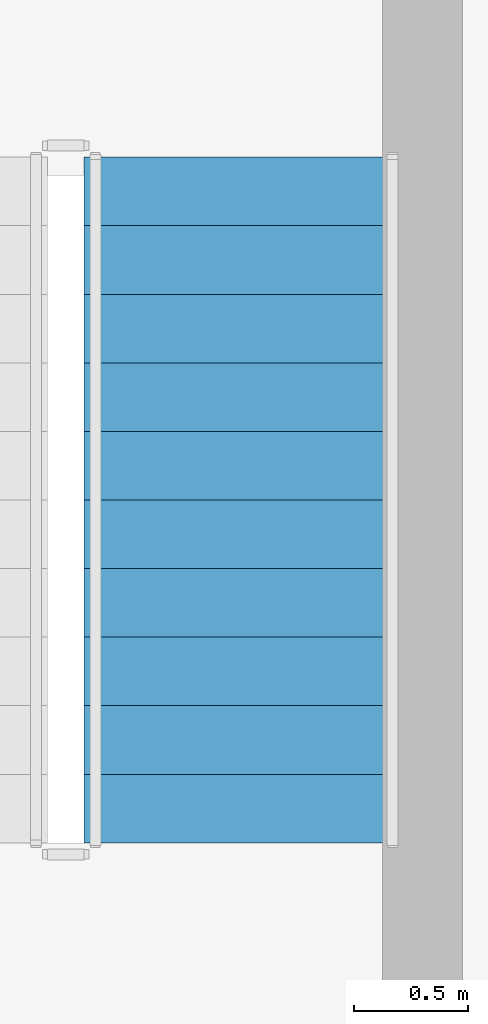
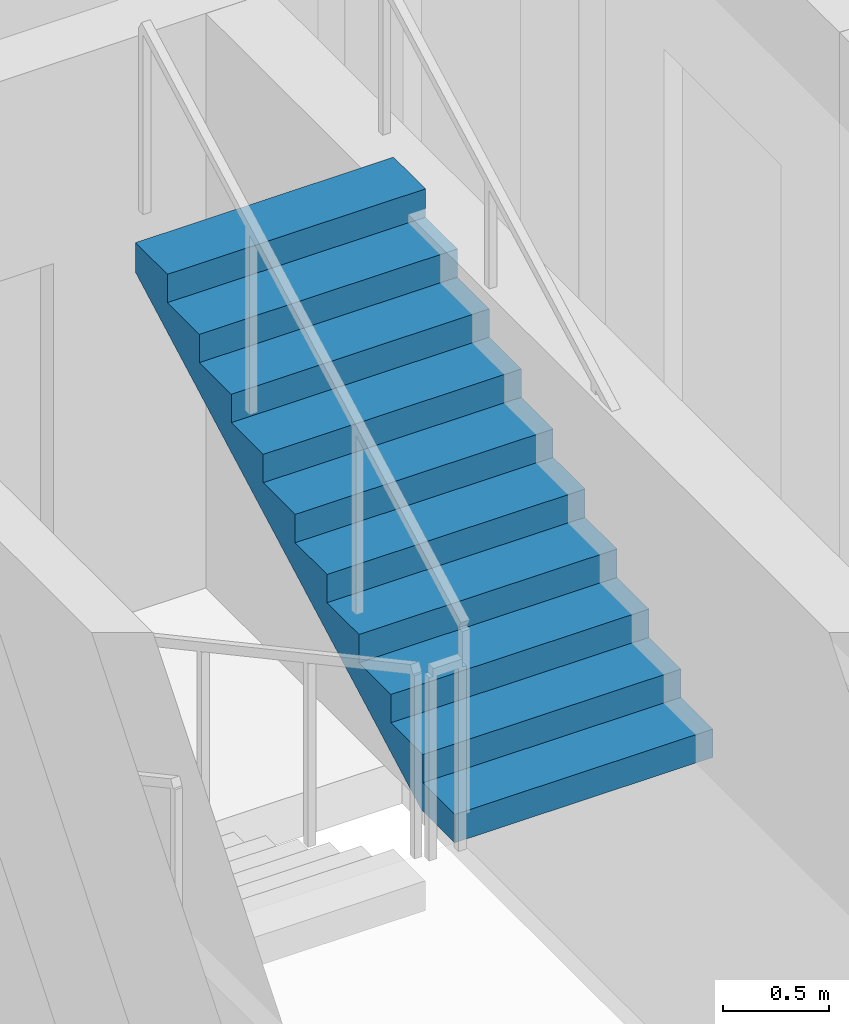
# One storey, part 7 of 14: 1 stair flight, 1 element without a shape of its own.
"""IFC4 building model written with IfcOpenShell, lengths in metres."""

from ifc_helpers import new_model, si_unit, direction, frame, origin, place, context, subcontext, project, spatial, polyline, outline, extrude, material, layer, layer_set, type_object, element, aggregate, save


model = new_model("IFC4")

# Units and contexts
model_context = context("Model", 3, precision=1e-05, world=origin(), true_north=direction((0.0, 1.0)))
body_context = subcontext(model_context, "Body", "Model", "MODEL_VIEW")
ifc_project = project(units=[si_unit("LENGTHUNIT", "METRE"), si_unit("AREAUNIT", "SQUARE_METRE"), si_unit("VOLUMEUNIT", "CUBIC_METRE"), si_unit("PLANEANGLEUNIT", "RADIAN"), si_unit("MASSUNIT", "GRAM", prefix="KILO")], contexts=[model_context])

# Site, building, storey
site_placement = place(None, origin())
site = spatial("IfcSite", under=ifc_project, at=site_placement, CompositionType="ELEMENT")
building_placement = place(site_placement, origin())
building = spatial("IfcBuilding", under=site, at=building_placement, Name="Zulmaris Gate Convention Tower", CompositionType="ELEMENT")
storey_placement = place(building_placement, frame((0.0, 0.0, 94.929931640625)))
storey = spatial("IfcBuildingStorey", under=building, at=storey_placement, Name="L23", CompositionType="ELEMENT", Elevation=94.929931640625)

# Stair, stair flight
ifc_material = material(Name="Concrete C45/55", Category="concrete")
stair_type = type_object("IfcStairType", Name="ST-CORE-DOGLEG", PredefinedType="HALF_TURN_STAIR", material=ifc_material)
stair_placement = place(storey_placement, origin())
stair = element("IfcStair", 1, at=stair_placement, inside=storey, type_object=stair_type, Name="L23 Core Exit Stair ST-2", PredefinedType="HALF_TURN_STAIR")
ifc_layer = layer(ifc_material, 0.14990234375, Name="Concrete C45/55")
ifc_layer_set = layer_set([ifc_layer], Name="Concrete C45/55")
stair_flight_type = type_object("IfcStairFlightType", Name="STF-RC150", PredefinedType="STRAIGHT", material=ifc_layer_set)
stair_flight_placement = place(storey_placement, frame((13.919921875, -5.0, 1.784912109375), z_axis=(0.0, 0.0, 1.0), x_axis=(0.0, 1.0, 0.0)))
stair_flight = element("IfcStairFlight", 2, at=stair_flight_placement, type_object=stair_flight_type, Name="ST-2 flight 2", NumberOfRisers=11, NumberOfTreads=10, PredefinedType="STRAIGHT", RiserHeight=0.162277273, TreadLength=0.3, context=body_context, shape_type="SweptSolid", body=[
    extrude(outline(polyline([(0.0, 0.0), (0.0, 0.162353515625), (0.300048828125, 0.162353515625), (0.300048828125, 0.324462890625), (0.60009765625, 0.324462890625), (0.60009765625, 0.48681640625), (0.89990234375, 0.48681640625), (0.89990234375, 0.649169921875), (1.199951171875, 0.649169921875), (1.199951171875, 0.811279296875), (1.5, 0.811279296875), (1.5, 0.9736328125), (1.800048828125, 0.9736328125), (1.800048828125, 1.135986328125), (2.10009765625, 1.135986328125), (2.10009765625, 1.29833984375), (2.39990234375, 1.29833984375), (2.39990234375, 1.46044921875), (2.699951171875, 1.46044921875), (2.699951171875, 1.622802734375), (3.0, 1.622802734375), (3.0, 1.78515625), (3.0, 1.452392578125), (0.315185546875, 0.0), (0.0, 0.0)])), frame((0.0, 0.699951171875, 0.0), z_axis=(0.0, -1.0, 0.0), x_axis=(1.0, 0.0, 0.0)), (0.0, 0.0, 1.0), 1.39990234375),
])
aggregate(stair, [stair_flight])

save(model, "model.ifc")
